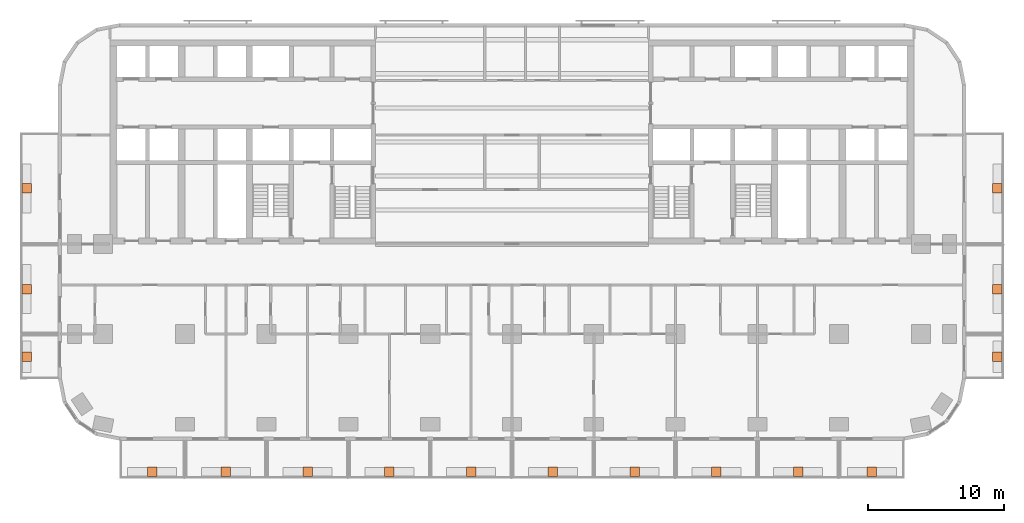
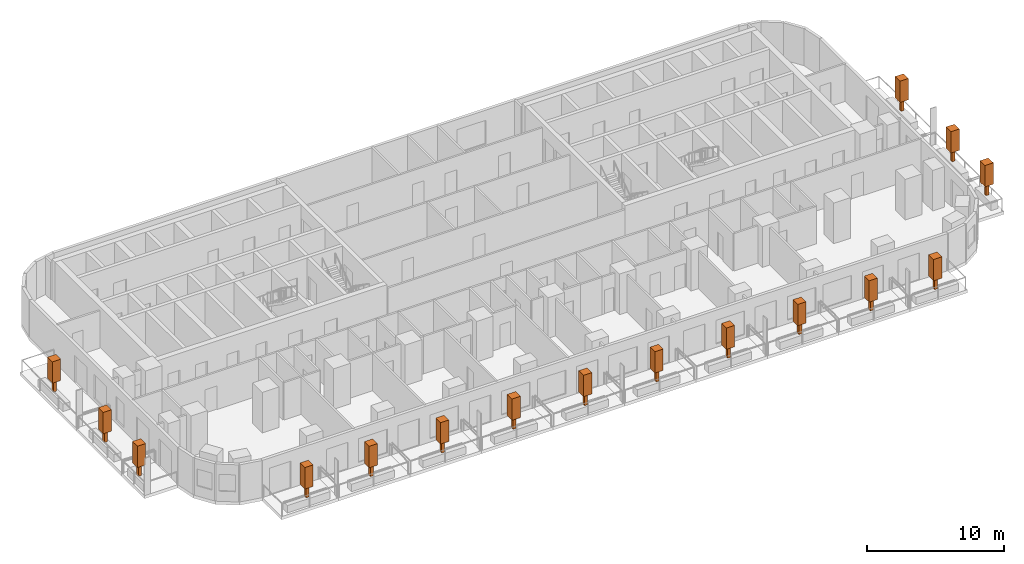
# One storey, part 14 of 14: 16 geographic elements.
"""IFC4 building model written with IfcOpenShell, lengths in metres."""

import ifcopenshell
import ifcopenshell.guid

model = None  # the IFC model being written
_history = None  # IfcOwnerHistory: only IFC2X3 demands one
_inside = {}  # id of a spatial element -> (the spatial element, [elements in it])
_under = {}  # id of a project, library or spatial element -> (it, [spatial elements below it])
_declared = {}  # id of a project -> (the project, [libraries it declares])
_typed = {}  # id of a type object -> (the type object, [elements of that type])
_made_of = {}  # id of a material, layer set ... -> (it, [elements and type objects made of it])


def new_model(schema):
    """Start an empty IFC model of exactly this schema.

    Asked for "IFC4X3", IfcOpenShell would pick the latest addendum, in which some entities
    have other attributes; the version numbers below select the first issue.
    IFC2X3 requires an IfcOwnerHistory on every rooted entity: one is made here for all.
    """
    global model, _history
    if schema == "IFC4X3":
        model = ifcopenshell.file(schema_version=(4, 3, 0, 0))
    else:
        model = ifcopenshell.file(schema=schema)
    _inside.clear()
    _under.clear()
    _declared.clear()
    _typed.clear()
    _made_of.clear()
    _history = None
    if model.schema == "IFC2X3":
        org = make("IfcOrganization", Name="unknown")
        user = make(
            "IfcPersonAndOrganization",
            ThePerson=make("IfcPerson", FamilyName="unknown"),
            TheOrganization=org,
        )
        app = make(
            "IfcApplication",
            ApplicationDeveloper=org,
            Version="unknown",
            ApplicationFullName="unknown",
            ApplicationIdentifier="unknown",
        )
        _history = make(
            "IfcOwnerHistory",
            OwningUser=user,
            OwningApplication=app,
            ChangeAction="ADDED",
            CreationDate=0,
        )
    return model


def make(cls, **values):
    """One entity of the class cls with the attributes given. An attribute that is None is left unset."""
    return model.create_entity(
        cls, **{name: value for name, value in values.items() if value is not None}
    )


def rooted(cls, **values):
    """An entity with a GlobalId (a new one), such as an element, a storey or a relation."""
    return make(cls, GlobalId=ifcopenshell.guid.new(), OwnerHistory=_history, **values)


def si_unit(unit_type, name, prefix=None):
    """IfcSIUnit, for example si_unit("LENGTHUNIT", "METRE", prefix="MILLI")."""
    return make("IfcSIUnit", UnitType=unit_type, Prefix=prefix, Name=name)


def assignment(units):
    """IfcUnitAssignment: the units of a project."""
    return None if units is None else make("IfcUnitAssignment", Units=units)


def point(xyz):
    """IfcCartesianPoint."""
    return None if xyz is None else make("IfcCartesianPoint", Coordinates=xyz)


def direction(xyz):
    """IfcDirection."""
    return None if xyz is None else make("IfcDirection", DirectionRatios=xyz)


def frame(location, z_axis=None, x_axis=None):
    """IfcAxis2Placement3D, a coordinate frame: its origin and axes. An axis left out is left unset."""
    return make(
        "IfcAxis2Placement3D",
        Location=point(location),
        Axis=direction(z_axis),
        RefDirection=direction(x_axis),
    )


def frame_2d(location, x_axis=None):
    """IfcAxis2Placement2D, a coordinate frame in the plane: its origin and x axis."""
    return make(
        "IfcAxis2Placement2D", Location=point(location), RefDirection=direction(x_axis)
    )


def origin():
    """The frame at (0, 0, 0) with its axes left unset."""
    return frame((0.0, 0.0, 0.0))


def origin_2d():
    """The frame at (0, 0) in the plane with its x axis left unset."""
    return frame_2d((0.0, 0.0))


def place(relative_to, where):
    """IfcLocalPlacement: puts the frame where relative to a parent placement (None: the world)."""
    return make(
        "IfcLocalPlacement", PlacementRelTo=relative_to, RelativePlacement=where
    )


def context(
    kind, dimensions, precision=None, world=None, true_north=None, identifier=None
):
    """IfcGeometricRepresentationContext, for example the 3D "Model" context."""
    return make(
        "IfcGeometricRepresentationContext",
        ContextIdentifier=identifier,
        ContextType=kind,
        CoordinateSpaceDimension=dimensions,
        Precision=precision,
        WorldCoordinateSystem=world,
        TrueNorth=true_north,
    )


def subcontext(parent, identifier, kind, view, scale=None):
    """IfcGeometricRepresentationSubContext, for example "Body" below "Model"."""
    return make(
        "IfcGeometricRepresentationSubContext",
        ContextIdentifier=identifier,
        ContextType=kind,
        ParentContext=parent,
        TargetScale=scale,
        TargetView=view,
    )


def project(units=None, contexts=None):
    """IfcProject with its units and contexts."""
    return rooted(
        "IfcProject",
        Name="project",
        RepresentationContexts=contexts,
        UnitsInContext=assignment(units),
    )


def spatial(cls, under=None, at=None, **own):
    """A site, building, storey or space (cls), placed at a placement, below another one or the project."""
    s = rooted(cls, ObjectPlacement=at, **own)
    if under is not None:
        _under.setdefault(under.id(), (under, []))[1].append(s)
    return s


def profile(cls, at=None, kind="AREA", **sizes):
    """A parametric profile (cls). Its sizes go by their IFC names, for example OverallWidth=200.0."""
    return make(cls, ProfileType=kind, Position=at, **sizes)


def rectangle(**sizes):
    """IfcRectangleProfileDef."""
    return profile("IfcRectangleProfileDef", **sizes)


def extrude(swept, where, along, depth):
    """IfcExtrudedAreaSolid: the profile swept, set in the frame where, extruded along a direction by depth."""
    return make(
        "IfcExtrudedAreaSolid",
        SweptArea=swept,
        Position=where,
        ExtrudedDirection=direction(along),
        Depth=depth,
    )


def shape(context_of_items, identifier, shape_type, items):
    """IfcShapeRepresentation: the items that make up one representation, for example the "Body"."""
    return make(
        "IfcShapeRepresentation",
        ContextOfItems=context_of_items,
        RepresentationIdentifier=identifier,
        RepresentationType=shape_type,
        Items=items,
    )


def material(Name=None, Category=None):
    """IfcMaterial."""
    return make("IfcMaterial", Name=Name, Category=Category)


def made_of(thing, what):
    """Note that an element or type object is made of a material, layer set ...; save() writes the relation."""
    if what is not None:
        _made_of.setdefault(what.id(), (what, []))[1].append(thing)
    return thing


def element(
    cls,
    number,
    at=None,
    inside=None,
    cuts=None,
    type_object=None,
    material=None,
    context=None,
    identifier="Body",
    shape_type=None,
    held_by="IfcProductDefinitionShape",
    body=None,
    shapes=None,
    **own,
):
    """One element of the class cls, such as IfcWall. Its Tag is "e" and its number.

    at: its placement. inside: the storey or other place that contains it. cuts: it is an
    opening in that element (IfcRelVoidsElement). A single representation is given by context,
    identifier, shape_type and body (its items); several are given by shapes. held_by: the class
    of the entity that holds the representations. save() writes the other relations.
    """
    e = rooted(cls, Tag="e%d" % number, ObjectPlacement=at, **own)
    if body is not None:
        shapes = [shape(context, identifier, shape_type, body)]
    if shapes is not None:
        e.Representation = make(held_by, Representations=shapes)
    if inside is not None:
        _inside.setdefault(inside.id(), (inside, []))[1].append(e)
    if cuts is not None:
        rooted(
            "IfcRelVoidsElement", RelatingBuildingElement=cuts, RelatedOpeningElement=e
        )
    if type_object is not None:
        _typed.setdefault(type_object.id(), (type_object, []))[1].append(e)
    return made_of(e, material)


def aggregate(whole, parts):
    """IfcRelAggregates: a whole, such as a stair, and the parts it consists of."""
    return rooted("IfcRelAggregates", RelatingObject=whole, RelatedObjects=parts)


def save(model, path):
    """Write the relations noted so far, then the file.

    IfcRelAggregates (storeys below a building ...), IfcRelContainedInSpatialStructure (elements
    in a storey), IfcRelDefinesByType, IfcRelAssociatesMaterial and IfcRelDeclares: one each for
    every whole, place, type object, material and project.
    """
    for whole, parts in _under.values():
        aggregate(whole, parts)
    for where, things in _inside.values():
        rooted(
            "IfcRelContainedInSpatialStructure",
            RelatedElements=things,
            RelatingStructure=where,
        )
    for kind, things in _typed.values():
        rooted("IfcRelDefinesByType", RelatedObjects=things, RelatingType=kind)
    for what, things in _made_of.values():
        rooted("IfcRelAssociatesMaterial", RelatedObjects=things, RelatingMaterial=what)
    for by, libraries in _declared.values():
        rooted("IfcRelDeclares", RelatingContext=by, RelatedDefinitions=libraries)
    model.write(path)


model = new_model("IFC4")

# Units and contexts
model_context = context("Model", 3, precision=1e-05, world=origin(), true_north=direction((0.0, 1.0)))
body_context = subcontext(model_context, "Body", "Model", "MODEL_VIEW")
ifc_project = project(units=[si_unit("LENGTHUNIT", "METRE"), si_unit("AREAUNIT", "SQUARE_METRE"), si_unit("VOLUMEUNIT", "CUBIC_METRE"), si_unit("PLANEANGLEUNIT", "RADIAN"), si_unit("MASSUNIT", "GRAM", prefix="KILO")], contexts=[model_context])

# Site, building, storey
site_placement = place(None, origin())
site = spatial("IfcSite", under=ifc_project, at=site_placement, CompositionType="ELEMENT")
building_placement = place(site_placement, origin())
building = spatial("IfcBuilding", under=site, at=building_placement, Name="Torana Hotel and Residences", CompositionType="ELEMENT")
storey_placement = place(building_placement, frame((0.0, 0.0, 103.199951171875)))
storey = spatial("IfcBuildingStorey", under=building, at=storey_placement, Name="L26", CompositionType="ELEMENT", Elevation=103.199951171875)

# Geographic elements
ifc_material = material(Name="Foliage", Category="planting")
for number, where, z_axis, x_axis, name in (
    (1, (-26.39990234375, -31.699951171875, 0.650146484375), (0.0, 0.0, 1.0), (1.0, 0.0, 0.0), "Tree 01"),
    (2, (-21.0, -31.699951171875, 0.650146484375), (0.0, 0.0, 1.0), (1.0, 0.0, 0.0), "Tree 02"),
    (3, (-15.0, -31.699951171875, 0.650146484375), (0.0, 0.0, 1.0), (1.0, 0.0, 0.0), "Tree 03"),
    (4, (-9.0, -31.699951171875, 0.650146484375), (0.0, 0.0, 1.0), (1.0, 0.0, 0.0), "Tree 04"),
    (5, (-3.0, -31.699951171875, 0.650146484375), (0.0, 0.0, 1.0), (1.0, 0.0, 0.0), "Tree 05"),
    (6, (3.0, -31.699951171875, 0.650146484375), (0.0, 0.0, 1.0), (1.0, 0.0, 0.0), "Tree 06"),
    (7, (9.0, -31.699951171875, 0.650146484375), (0.0, 0.0, 1.0), (1.0, 0.0, 0.0), "Tree 07"),
    (8, (15.0, -31.699951171875, 0.650146484375), (0.0, 0.0, 1.0), (1.0, 0.0, 0.0), "Tree 08"),
    (9, (21.0, -31.699951171875, 0.650146484375), (0.0, 0.0, 1.0), (1.0, 0.0, 0.0), "Tree 09"),
    (10, (26.39990234375, -31.699951171875, 0.650146484375), (0.0, 0.0, 1.0), (1.0, 0.0, 0.0), "Tree 10"),
    (11, (-35.60009765625, -23.25, 0.650146484375), (0.0, 0.0, 1.0), (1.0, 0.0, 0.0), "Tree 11"),
    (12, (-35.60009765625, -18.300048828125, 0.650146484375), (0.0, 0.0, 1.0), (1.0, 0.0, 0.0), "Tree 12"),
    (13, (-35.60009765625, -10.89990234375, 0.650146484375), (0.0, 0.0, 1.0), (1.0, 0.0, 0.0), "Tree 13"),
    (14, (35.60009765625, -23.25, 0.650146484375), (0.0, 0.0, 1.0), (1.0, 0.0, 0.0), "Tree 14"),
    (15, (35.60009765625, -18.300048828125, 0.650146484375), (0.0, 0.0, 1.0), (1.0, 0.0, 0.0), "Tree 15"),
    (16, (35.60009765625, -10.89990234375, 0.650146484375), (0.0, 0.0, 1.0), (1.0, 0.0, 0.0), "Tree 16"),
):
    element("IfcGeographicElement", number, at=place(storey_placement, frame(where, z_axis=z_axis, x_axis=x_axis)), inside=storey, material=ifc_material, Name=name, ObjectType="TREE", PredefinedType="USERDEFINED", context=body_context, shape_type="SweptSolid", body=[
        extrude(rectangle(XDim=0.25, YDim=0.25, at=origin_2d()), origin(), (0.0, 0.0, 1.0), 1.0),
        extrude(rectangle(XDim=0.699951171875, YDim=0.699951171875, at=origin_2d()), frame((0.0, 0.0, 1.0)), (0.0, 0.0, 1.0), 1.89990234375),
    ])

save(model, "model.ifc")
